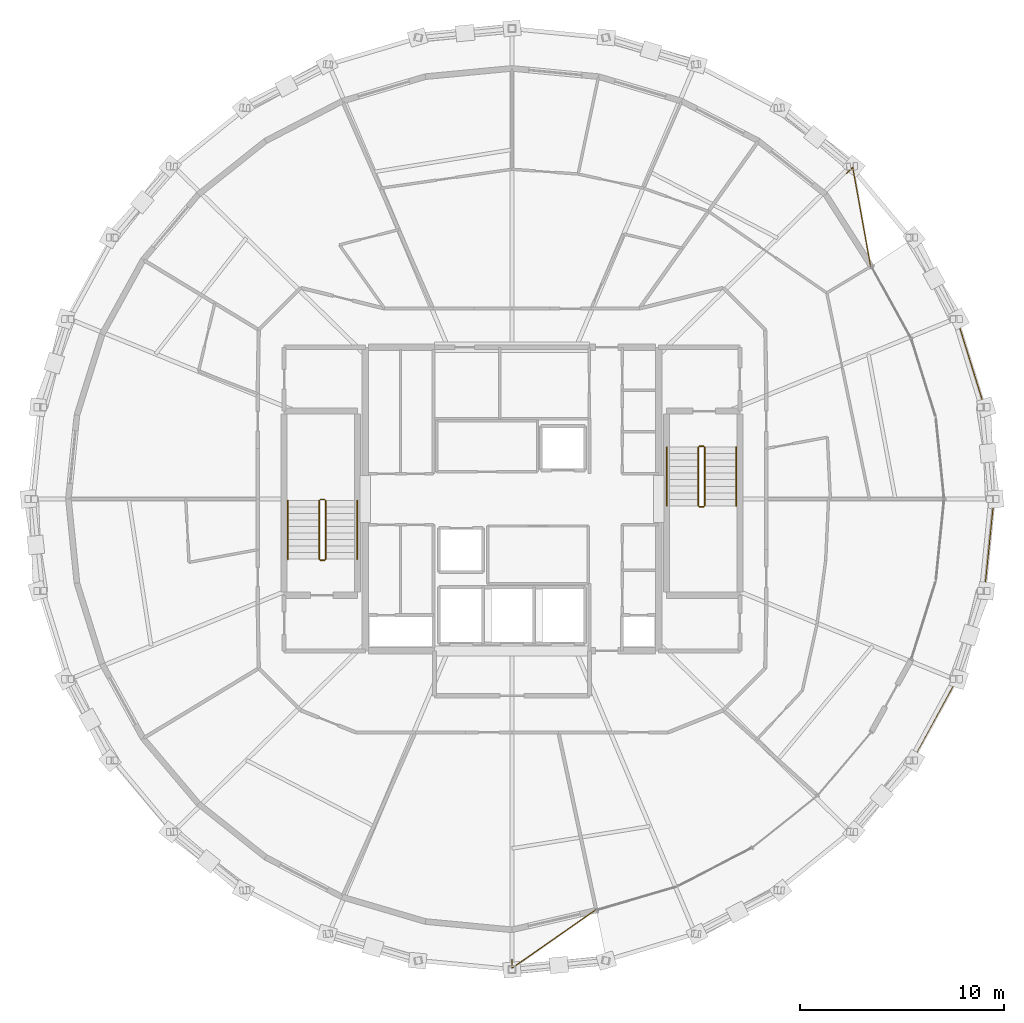
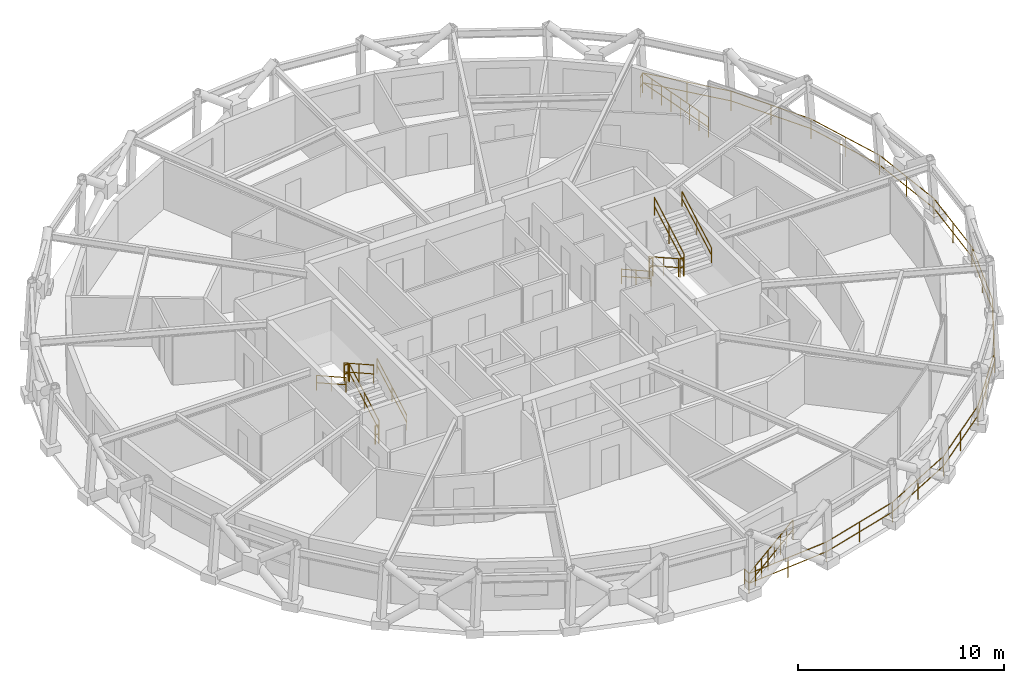
# One storey, part 16 of 16: 15 railings.
"""IFC4 building model written with IfcOpenShell, lengths in metres."""

from ifc_helpers import new_model, si_unit, direction, frame, origin, origin_2d, place, context, subcontext, project, spatial, circle, extrude, material, type_object, element, save


model = new_model("IFC4")

# Units and contexts
model_context = context("Model", 3, precision=1e-05, world=origin(), true_north=direction((0.0, 1.0)))
body_context = subcontext(model_context, "Body", "Model", "MODEL_VIEW")
ifc_project = project(units=[si_unit("LENGTHUNIT", "METRE"), si_unit("AREAUNIT", "SQUARE_METRE"), si_unit("VOLUMEUNIT", "CUBIC_METRE"), si_unit("PLANEANGLEUNIT", "RADIAN"), si_unit("MASSUNIT", "GRAM", prefix="KILO")], contexts=[model_context])

# Site, building, storey
site_placement = place(None, origin())
site = spatial("IfcSite", under=ifc_project, at=site_placement, CompositionType="ELEMENT")
building_placement = place(site_placement, origin())
building = spatial("IfcBuilding", under=site, at=building_placement, Name="Veldorina Hangang Commons", CompositionType="ELEMENT")
storey_placement = place(building_placement, frame((0.0, 0.0, 240.0)))
storey = spatial("IfcBuildingStorey", under=building, at=storey_placement, Name="L62", CompositionType="ELEMENT", Elevation=240.0)

# Railings
ifc_material_1 = material(Name="Glass Laminated Safety Balustrade", Category="glass")
railing_type_1 = type_object("IfcRailingType", Name="RL-BAL-LOGGIA", PredefinedType="BALUSTRADE", material=ifc_material_1)
railing_1_placement = place(storey_placement, frame((32.0, 1.406005859375, 0.0)))
element("IfcRailing", 1, at=railing_1_placement, inside=storey, type_object=railing_type_1, Name="L62 sky-garden loggia end balustrade A", PredefinedType="BALUSTRADE", context=body_context, shape_type="SweptSolid", body=[
    extrude(circle(Radius=0.02392578125, at=origin_2d()), frame((0.0, 0.0, 1.17578125), z_axis=(0.0, -1.0, 0.0), x_axis=(1.0, 0.0, 0.0)), (0.0, 0.0, 1.0), 0.419921875),
    extrude(circle(Radius=0.02392578125, at=origin_2d()), frame((0.0, 0.0, 0.60009765625), z_axis=(0.0, -1.0, 0.0), x_axis=(1.0, 0.0, 0.0)), (0.0, 0.0, 1.0), 0.419921875),
    extrude(circle(Radius=0.02392578125, at=origin_2d()), frame((0.0, -0.419921875, 1.17578125), z_axis=(0.82069743733, 0.571363033771, 0.0), x_axis=(-0.571363033771, 0.82069743733, 0.0)), (0.0, 0.0, 1.0), 5.031005859375),
    extrude(circle(Radius=0.02392578125, at=origin_2d()), frame((0.0, -0.419921875, 0.60009765625), z_axis=(0.82069743733, 0.571363033771, 0.0), x_axis=(-0.571363033771, 0.82069743733, 0.0)), (0.0, 0.0, 1.0), 5.031005859375),
    extrude(circle(Radius=0.02099609375, at=origin_2d()), origin(), (0.0, 0.0, 1.0), 1.15185546875),
    extrude(circle(Radius=0.02099609375, at=origin_2d()), frame((0.0, -0.419921875, 0.0)), (0.0, 0.0, 1.0), 1.15185546875),
    extrude(circle(Radius=0.02099609375, at=origin_2d()), frame((0.58984375, -0.00927734375, 0.0)), (0.0, 0.0, 1.0), 1.15185546875),
    extrude(circle(Radius=0.02099609375, at=origin_2d()), frame((1.1796875, 0.4013671875, 0.0)), (0.0, 0.0, 1.0), 1.15185546875),
    extrude(circle(Radius=0.02099609375, at=origin_2d()), frame((1.76953125, 0.81201171875, 0.0)), (0.0, 0.0, 1.0), 1.15185546875),
    extrude(circle(Radius=0.02099609375, at=origin_2d()), frame((2.359375, 1.22265625, 0.0)), (0.0, 0.0, 1.0), 1.15185546875),
    extrude(circle(Radius=0.02099609375, at=origin_2d()), frame((2.94921875, 1.63330078125, 0.0)), (0.0, 0.0, 1.0), 1.15185546875),
    extrude(circle(Radius=0.02099609375, at=origin_2d()), frame((3.5390625, 2.0439453125, 0.0)), (0.0, 0.0, 1.0), 1.15185546875),
    extrude(circle(Radius=0.02099609375, at=origin_2d()), frame((4.12890625, 2.45458984375, 0.0)), (0.0, 0.0, 1.0), 1.15185546875),
])
railing_2_placement = place(storey_placement, frame((48.418212890625, 39.981201171875, 0.0)))
element("IfcRailing", 2, at=railing_2_placement, inside=storey, type_object=railing_type_1, Name="L62 sky-garden loggia end balustrade B", PredefinedType="BALUSTRADE", context=body_context, shape_type="SweptSolid", body=[
    extrude(circle(Radius=0.02392578125, at=origin_2d()), frame((0.0, 0.0, 1.17578125), z_axis=(0.716348809661, 0.697742347072, 0.0), x_axis=(-0.697742347072, 0.716348809661, 0.0)), (0.0, 0.0, 1.0), 0.419921875),
    extrude(circle(Radius=0.02392578125, at=origin_2d()), frame((0.0, 0.0, 0.60009765625), z_axis=(0.716348809661, 0.697742347072, 0.0), x_axis=(-0.697742347072, 0.716348809661, 0.0)), (0.0, 0.0, 1.0), 0.419921875),
    extrude(circle(Radius=0.02392578125, at=origin_2d()), frame((0.30078125, 0.29296875, 1.17578125), z_axis=(0.177755584776, -0.98407466794, 0.0), x_axis=(0.98407466794, 0.177755584776, 0.0)), (0.0, 0.0, 1.0), 4.944580078125),
    extrude(circle(Radius=0.02392578125, at=origin_2d()), frame((0.30078125, 0.29296875, 0.60009765625), z_axis=(0.177755584776, -0.98407466794, 0.0), x_axis=(0.98407466794, 0.177755584776, 0.0)), (0.0, 0.0, 1.0), 4.944580078125),
    extrude(circle(Radius=0.02099609375, at=origin_2d()), origin(), (0.0, 0.0, 1.0), 1.15185546875),
    extrude(circle(Radius=0.02099609375, at=origin_2d()), frame((0.30078125, 0.29296875, 0.0)), (0.0, 0.0, 1.0), 1.15185546875),
    extrude(circle(Radius=0.02099609375, at=origin_2d()), frame((0.42626953125, -0.402099609375, 0.0)), (0.0, 0.0, 1.0), 1.15185546875),
    extrude(circle(Radius=0.02099609375, at=origin_2d()), frame((0.552001953125, -1.09716796875, 0.0)), (0.0, 0.0, 1.0), 1.15185546875),
    extrude(circle(Radius=0.02099609375, at=origin_2d()), frame((0.677490234375, -1.792236328125, 0.0)), (0.0, 0.0, 1.0), 1.15185546875),
    extrude(circle(Radius=0.02099609375, at=origin_2d()), frame((0.802978515625, -2.487548828125, 0.0)), (0.0, 0.0, 1.0), 1.15185546875),
    extrude(circle(Radius=0.02099609375, at=origin_2d()), frame((0.928466796875, -3.1826171875, 0.0)), (0.0, 0.0, 1.0), 1.15185546875),
    extrude(circle(Radius=0.02099609375, at=origin_2d()), frame((1.05419921875, -3.877685546875, 0.0)), (0.0, 0.0, 1.0), 1.15185546875),
    extrude(circle(Radius=0.02099609375, at=origin_2d()), frame((1.1796875, -4.57275390625, 0.0)), (0.0, 0.0, 1.0), 1.15185546875),
])
railing_3_placement = place(storey_placement, frame((32.0, 0.986083984375, 0.0)))
element("IfcRailing", 3, at=railing_3_placement, inside=storey, type_object=railing_type_1, Name="L62 sky-garden loggia outer balustrade", PredefinedType="BALUSTRADE", context=body_context, shape_type="SweptSolid", body=[
    extrude(circle(Radius=0.02392578125, at=origin_2d()), frame((0.0, 0.0, 1.17578125), z_axis=(0.995437270042, 0.095418244643, 0.0), x_axis=(-0.095418244643, 0.995437270042, 0.0)), (0.0, 0.0, 1.0), 4.6337890625),
    extrude(circle(Radius=0.02392578125, at=origin_2d()), frame((0.0, 0.0, 0.60009765625), z_axis=(0.995437270042, 0.095418244643, 0.0), x_axis=(-0.095418244643, 0.995437270042, 0.0)), (0.0, 0.0, 1.0), 4.6337890625),
    extrude(circle(Radius=0.02392578125, at=origin_2d()), frame((4.612548828125, 0.442138671875, 1.17578125), z_axis=(0.959086795418, 0.283112201884, 0.0), x_axis=(-0.283112201884, 0.959086795418, 0.0)), (0.0, 0.0, 1.0), 4.624755859375),
    extrude(circle(Radius=0.02392578125, at=origin_2d()), frame((4.612548828125, 0.442138671875, 0.60009765625), z_axis=(0.959086795418, 0.283112201884, 0.0), x_axis=(-0.283112201884, 0.959086795418, 0.0)), (0.0, 0.0, 1.0), 4.624755859375),
    extrude(circle(Radius=0.02392578125, at=origin_2d()), frame((9.048095703125, 1.75146484375, 1.17578125), z_axis=(0.887137843711, 0.461504546301, 0.0), x_axis=(-0.461504546301, 0.887137843711, 0.0)), (0.0, 0.0, 1.0), 4.607666015625),
    extrude(circle(Radius=0.02392578125, at=origin_2d()), frame((9.048095703125, 1.75146484375, 0.60009765625), z_axis=(0.887137843711, 0.461504546301, 0.0), x_axis=(-0.461504546301, 0.887137843711, 0.0)), (0.0, 0.0, 1.0), 4.607666015625),
    extrude(circle(Radius=0.02392578125, at=origin_2d()), frame((13.1357421875, 3.8779296875, 1.17578125), z_axis=(0.781377559682, 0.62405857836, 0.0), x_axis=(-0.62405857836, 0.781377559682, 0.0)), (0.0, 0.0, 1.0), 4.585693359375),
    extrude(circle(Radius=0.02392578125, at=origin_2d()), frame((13.1357421875, 3.8779296875, 0.60009765625), z_axis=(0.781377559682, 0.62405857836, 0.0), x_axis=(-0.62405857836, 0.781377559682, 0.0)), (0.0, 0.0, 1.0), 4.585693359375),
    extrude(circle(Radius=0.02392578125, at=origin_2d()), frame((16.718994140625, 6.73974609375, 1.17578125), z_axis=(0.644653063739, 0.764475262786, 0.0), x_axis=(-0.764475262786, 0.644653063739, 0.0)), (0.0, 0.0, 1.0), 4.56201171875),
    extrude(circle(Radius=0.02392578125, at=origin_2d()), frame((16.718994140625, 6.73974609375, 0.60009765625), z_axis=(0.644653063739, 0.764475262786, 0.0), x_axis=(-0.764475262786, 0.644653063739, 0.0)), (0.0, 0.0, 1.0), 4.56201171875),
    extrude(circle(Radius=0.02392578125, at=origin_2d()), frame((19.659912109375, 10.227294921875, 1.17578125), z_axis=(0.481408713435, 0.876496235376, 0.0), x_axis=(-0.876496235376, 0.481408713435, 0.0)), (0.0, 0.0, 1.0), 4.539306640625),
    extrude(circle(Radius=0.02392578125, at=origin_2d()), frame((19.659912109375, 10.227294921875, 0.60009765625), z_axis=(0.481408713435, 0.876496235376, 0.0), x_axis=(-0.876496235376, 0.481408713435, 0.0)), (0.0, 0.0, 1.0), 4.539306640625),
    extrude(circle(Radius=0.02392578125, at=origin_2d()), frame((21.84521484375, 14.2060546875, 1.17578125), z_axis=(0.297558711266, 0.954703521178, 0.0), x_axis=(-0.954703521178, 0.297558711266, 0.0)), (0.0, 0.0, 1.0), 4.5224609375),
    extrude(circle(Radius=0.02392578125, at=origin_2d()), frame((21.84521484375, 14.2060546875, 0.60009765625), z_axis=(0.297558711266, 0.954703521178, 0.0), x_axis=(-0.954703521178, 0.297558711266, 0.0)), (0.0, 0.0, 1.0), 4.5224609375),
    extrude(circle(Radius=0.02392578125, at=origin_2d()), frame((23.19091796875, 18.523681640625, 1.17578125), z_axis=(0.100724797421, 0.99491432555, 0.0), x_axis=(-0.99491432555, 0.100724797421, 0.0)), (0.0, 0.0, 1.0), 4.51318359375),
    extrude(circle(Radius=0.02392578125, at=origin_2d()), frame((23.19091796875, 18.523681640625, 0.60009765625), z_axis=(0.100724797421, 0.99491432555, 0.0), x_axis=(-0.99491432555, 0.100724797421, 0.0)), (0.0, 0.0, 1.0), 4.51318359375),
    extrude(circle(Radius=0.02392578125, at=origin_2d()), frame((23.6455078125, 23.013916015625, 1.17578125), z_axis=(-0.100724797421, 0.99491432555, 0.0), x_axis=(-0.99491432555, -0.100724797421, 0.0)), (0.0, 0.0, 1.0), 4.51318359375),
    extrude(circle(Radius=0.02392578125, at=origin_2d()), frame((23.6455078125, 23.013916015625, 0.60009765625), z_axis=(-0.100724797421, 0.99491432555, 0.0), x_axis=(-0.99491432555, -0.100724797421, 0.0)), (0.0, 0.0, 1.0), 4.51318359375),
    extrude(circle(Radius=0.02392578125, at=origin_2d()), frame((23.19091796875, 27.504150390625, 1.17578125), z_axis=(-0.297558711266, 0.954703521178, 0.0), x_axis=(-0.954703521178, -0.297558711266, 0.0)), (0.0, 0.0, 1.0), 4.5224609375),
    extrude(circle(Radius=0.02392578125, at=origin_2d()), frame((23.19091796875, 27.504150390625, 0.60009765625), z_axis=(-0.297558711266, 0.954703521178, 0.0), x_axis=(-0.954703521178, -0.297558711266, 0.0)), (0.0, 0.0, 1.0), 4.5224609375),
    extrude(circle(Radius=0.02392578125, at=origin_2d()), frame((21.84521484375, 31.82177734375, 1.17578125), z_axis=(-0.481408713435, 0.876496235376, 0.0), x_axis=(-0.876496235376, -0.481408713435, 0.0)), (0.0, 0.0, 1.0), 4.539306640625),
    extrude(circle(Radius=0.02392578125, at=origin_2d()), frame((21.84521484375, 31.82177734375, 0.60009765625), z_axis=(-0.481408713435, 0.876496235376, 0.0), x_axis=(-0.876496235376, -0.481408713435, 0.0)), (0.0, 0.0, 1.0), 4.539306640625),
    extrude(circle(Radius=0.02392578125, at=origin_2d()), frame((19.659912109375, 35.800537109375, 1.17578125), z_axis=(-0.644653063739, 0.764475262786, 0.0), x_axis=(-0.764475262786, -0.644653063739, 0.0)), (0.0, 0.0, 1.0), 4.56201171875),
    extrude(circle(Radius=0.02392578125, at=origin_2d()), frame((19.659912109375, 35.800537109375, 0.60009765625), z_axis=(-0.644653063739, 0.764475262786, 0.0), x_axis=(-0.764475262786, -0.644653063739, 0.0)), (0.0, 0.0, 1.0), 4.56201171875),
    extrude(circle(Radius=0.02099609375, at=origin_2d()), origin(), (0.0, 0.0, 1.0), 1.15185546875),
    extrude(circle(Radius=0.02099609375, at=origin_2d()), frame((2.30615234375, 0.22119140625, 0.0)), (0.0, 0.0, 1.0), 1.15185546875),
    extrude(circle(Radius=0.02099609375, at=origin_2d()), frame((4.612548828125, 0.442138671875, 0.0)), (0.0, 0.0, 1.0), 1.15185546875),
    extrude(circle(Radius=0.02099609375, at=origin_2d()), frame((6.830322265625, 1.0966796875, 0.0)), (0.0, 0.0, 1.0), 1.15185546875),
    extrude(circle(Radius=0.02099609375, at=origin_2d()), frame((9.048095703125, 1.75146484375, 0.0)), (0.0, 0.0, 1.0), 1.15185546875),
    extrude(circle(Radius=0.02099609375, at=origin_2d()), frame((11.091796875, 2.814697265625, 0.0)), (0.0, 0.0, 1.0), 1.15185546875),
    extrude(circle(Radius=0.02099609375, at=origin_2d()), frame((13.1357421875, 3.8779296875, 0.0)), (0.0, 0.0, 1.0), 1.15185546875),
    extrude(circle(Radius=0.02099609375, at=origin_2d()), frame((14.92724609375, 5.308837890625, 0.0)), (0.0, 0.0, 1.0), 1.15185546875),
    extrude(circle(Radius=0.02099609375, at=origin_2d()), frame((16.718994140625, 6.73974609375, 0.0)), (0.0, 0.0, 1.0), 1.15185546875),
    extrude(circle(Radius=0.02099609375, at=origin_2d()), frame((18.189453125, 8.4833984375, 0.0)), (0.0, 0.0, 1.0), 1.15185546875),
    extrude(circle(Radius=0.02099609375, at=origin_2d()), frame((19.659912109375, 10.227294921875, 0.0)), (0.0, 0.0, 1.0), 1.15185546875),
    extrude(circle(Radius=0.02099609375, at=origin_2d()), frame((20.75244140625, 12.216796875, 0.0)), (0.0, 0.0, 1.0), 1.15185546875),
    extrude(circle(Radius=0.02099609375, at=origin_2d()), frame((21.84521484375, 14.2060546875, 0.0)), (0.0, 0.0, 1.0), 1.15185546875),
    extrude(circle(Radius=0.02099609375, at=origin_2d()), frame((22.51806640625, 16.36474609375, 0.0)), (0.0, 0.0, 1.0), 1.15185546875),
    extrude(circle(Radius=0.02099609375, at=origin_2d()), frame((23.19091796875, 18.523681640625, 0.0)), (0.0, 0.0, 1.0), 1.15185546875),
    extrude(circle(Radius=0.02099609375, at=origin_2d()), frame((23.418212890625, 20.768798828125, 0.0)), (0.0, 0.0, 1.0), 1.15185546875),
    extrude(circle(Radius=0.02099609375, at=origin_2d()), frame((23.6455078125, 23.013916015625, 0.0)), (0.0, 0.0, 1.0), 1.15185546875),
    extrude(circle(Radius=0.02099609375, at=origin_2d()), frame((23.418212890625, 25.259033203125, 0.0)), (0.0, 0.0, 1.0), 1.15185546875),
    extrude(circle(Radius=0.02099609375, at=origin_2d()), frame((23.19091796875, 27.504150390625, 0.0)), (0.0, 0.0, 1.0), 1.15185546875),
    extrude(circle(Radius=0.02099609375, at=origin_2d()), frame((22.51806640625, 29.6630859375, 0.0)), (0.0, 0.0, 1.0), 1.15185546875),
    extrude(circle(Radius=0.02099609375, at=origin_2d()), frame((21.84521484375, 31.82177734375, 0.0)), (0.0, 0.0, 1.0), 1.15185546875),
    extrude(circle(Radius=0.02099609375, at=origin_2d()), frame((20.75244140625, 33.81103515625, 0.0)), (0.0, 0.0, 1.0), 1.15185546875),
    extrude(circle(Radius=0.02099609375, at=origin_2d()), frame((19.659912109375, 35.800537109375, 0.0)), (0.0, 0.0, 1.0), 1.15185546875),
    extrude(circle(Radius=0.02099609375, at=origin_2d()), frame((18.189453125, 37.54443359375, 0.0)), (0.0, 0.0, 1.0), 1.15185546875),
    extrude(circle(Radius=0.02099609375, at=origin_2d()), frame((16.718994140625, 39.2880859375, 0.0)), (0.0, 0.0, 1.0), 1.15185546875),
])
ifc_material_2 = material(Name="Steel Painted Balustrade", Category="steel")
railing_type_2 = type_object("IfcRailingType", Name="RL-GRD-STAIR", PredefinedType="GUARDRAIL", material=ifc_material_2)
railing_4_placement = place(storey_placement, frame((22.85009765625, 21.050048828125, 0.179931640625)))
element("IfcRailing", 4, at=railing_4_placement, inside=storey, type_object=railing_type_2, Name="L62 ST-1 stair guard 1", PredefinedType="GUARDRAIL", context=body_context, shape_type="SweptSolid", body=[
    extrude(circle(Radius=0.02392578125, at=origin_2d()), frame((0.0, 0.0, 1.076171875), z_axis=(0.0, 0.87155185771, 0.490303333991), x_axis=(-1.0, 0.0, 0.0)), (0.0, 0.0, 1.0), 3.30419921875),
    extrude(circle(Radius=0.02392578125, at=origin_2d()), frame((0.0, 0.0, 0.550048828125), z_axis=(0.0, 0.87155185771, 0.490303333991), x_axis=(-1.0, 0.0, 0.0)), (0.0, 0.0, 1.0), 3.30419921875),
    extrude(circle(Radius=0.02099609375, at=origin_2d()), origin(), (0.0, 0.0, 1.0), 1.052001953125),
    extrude(circle(Radius=0.02099609375, at=origin_2d()), frame((0.0, 1.43994140625, 0.81005859375)), (0.0, 0.0, 1.0), 1.052001953125),
    extrude(circle(Radius=0.02099609375, at=origin_2d()), frame((0.0, 2.8798828125, 1.6201171875)), (0.0, 0.0, 1.0), 1.052001953125),
])
railing_5_placement = place(storey_placement, frame((22.800048828125, 23.97998046875, 1.800048828125)))
element("IfcRailing", 5, at=railing_5_placement, inside=storey, type_object=railing_type_2, Name="L62 ST-1 stair guard 2", PredefinedType="GUARDRAIL", context=body_context, shape_type="SweptSolid", body=[
    extrude(circle(Radius=0.02392578125, at=origin_2d()), frame((0.0, 0.0, 1.076171875), z_axis=(-1.0, 0.0, 0.0), x_axis=(0.0, -1.0, 0.0)), (0.0, 0.0, 1.0), 0.199951171875),
    extrude(circle(Radius=0.02392578125, at=origin_2d()), frame((0.0, 0.0, 0.550048828125), z_axis=(-1.0, 0.0, 0.0), x_axis=(0.0, -1.0, 0.0)), (0.0, 0.0, 1.0), 0.199951171875),
    extrude(circle(Radius=0.02099609375, at=origin_2d()), origin(), (0.0, 0.0, 1.0), 1.052001953125),
    extrude(circle(Radius=0.02099609375, at=origin_2d()), frame((-0.199951171875, 0.0, 0.0)), (0.0, 0.0, 1.0), 1.052001953125),
])
railing_6_placement = place(storey_placement, frame((22.550048828125, 23.929931640625, 1.97998046875)))
element("IfcRailing", 6, at=railing_6_placement, inside=storey, type_object=railing_type_2, Name="L62 ST-1 stair guard 3", PredefinedType="GUARDRAIL", context=body_context, shape_type="SweptSolid", body=[
    extrude(circle(Radius=0.02392578125, at=origin_2d()), frame((0.0, 0.0, 1.076171875), z_axis=(0.0, -0.87155185771, 0.490303333991), x_axis=(1.0, 0.0, 0.0)), (0.0, 0.0, 1.0), 3.30419921875),
    extrude(circle(Radius=0.02392578125, at=origin_2d()), frame((0.0, 0.0, 0.550048828125), z_axis=(0.0, -0.87155185771, 0.490303333991), x_axis=(1.0, 0.0, 0.0)), (0.0, 0.0, 1.0), 3.30419921875),
    extrude(circle(Radius=0.02099609375, at=origin_2d()), origin(), (0.0, 0.0, 1.0), 1.052001953125),
    extrude(circle(Radius=0.02099609375, at=origin_2d()), frame((0.0, -1.43994140625, 0.81005859375)), (0.0, 0.0, 1.0), 1.052001953125),
    extrude(circle(Radius=0.02099609375, at=origin_2d()), frame((0.0, -2.8798828125, 1.6201171875)), (0.0, 0.0, 1.0), 1.052001953125),
])
railing_7_placement = place(storey_placement, frame((22.800048828125, 21.0, 0.0)))
element("IfcRailing", 7, at=railing_7_placement, inside=storey, type_object=railing_type_2, Name="L62 ST-1 stair guard 4", PredefinedType="GUARDRAIL", context=body_context, shape_type="SweptSolid", body=[
    extrude(circle(Radius=0.02392578125, at=origin_2d()), frame((0.0, 0.0, 1.076171875), z_axis=(-1.0, 0.0, 0.0), x_axis=(0.0, -1.0, 0.0)), (0.0, 0.0, 1.0), 0.199951171875),
    extrude(circle(Radius=0.02392578125, at=origin_2d()), frame((0.0, 0.0, 0.550048828125), z_axis=(-1.0, 0.0, 0.0), x_axis=(0.0, -1.0, 0.0)), (0.0, 0.0, 1.0), 0.199951171875),
    extrude(circle(Radius=0.02099609375, at=origin_2d()), origin(), (0.0, 0.0, 1.0), 1.052001953125),
    extrude(circle(Radius=0.02099609375, at=origin_2d()), frame((-0.199951171875, 0.0, 0.0)), (0.0, 0.0, 1.0), 1.052001953125),
])
railing_8_placement = place(storey_placement, frame((41.14990234375, 26.550048828125, 0.179931640625)))
element("IfcRailing", 8, at=railing_8_placement, inside=storey, type_object=railing_type_2, Name="L62 ST-2 stair guard 1", PredefinedType="GUARDRAIL", context=body_context, shape_type="SweptSolid", body=[
    extrude(circle(Radius=0.02392578125, at=origin_2d()), frame((0.0, 0.0, 1.076171875), z_axis=(0.0, -0.871569617843, 0.490271762652), x_axis=(1.0, 0.0, 0.0)), (0.0, 0.0, 1.0), 3.304443359375),
    extrude(circle(Radius=0.02392578125, at=origin_2d()), frame((0.0, 0.0, 0.550048828125), z_axis=(0.0, -0.871569617843, 0.490271762652), x_axis=(1.0, 0.0, 0.0)), (0.0, 0.0, 1.0), 3.304443359375),
    extrude(circle(Radius=0.02099609375, at=origin_2d()), origin(), (0.0, 0.0, 1.0), 1.052001953125),
    extrude(circle(Radius=0.02099609375, at=origin_2d()), frame((0.0, -1.43994140625, 0.81005859375)), (0.0, 0.0, 1.0), 1.052001953125),
    extrude(circle(Radius=0.02099609375, at=origin_2d()), frame((0.0, -2.880126953125, 1.6201171875)), (0.0, 0.0, 1.0), 1.052001953125),
])
railing_9_placement = place(storey_placement, frame((41.199951171875, 23.6201171875, 1.800048828125)))
element("IfcRailing", 9, at=railing_9_placement, inside=storey, type_object=railing_type_2, Name="L62 ST-2 stair guard 2", PredefinedType="GUARDRAIL", context=body_context, shape_type="SweptSolid", body=[
    extrude(circle(Radius=0.02392578125, at=origin_2d()), frame((0.0, 0.0, 1.076171875), z_axis=(1.0, 0.0, 0.0), x_axis=(0.0, 1.0, 0.0)), (0.0, 0.0, 1.0), 0.199951171875),
    extrude(circle(Radius=0.02392578125, at=origin_2d()), frame((0.0, 0.0, 0.550048828125), z_axis=(1.0, 0.0, 0.0), x_axis=(0.0, 1.0, 0.0)), (0.0, 0.0, 1.0), 0.199951171875),
    extrude(circle(Radius=0.02099609375, at=origin_2d()), origin(), (0.0, 0.0, 1.0), 1.052001953125),
    extrude(circle(Radius=0.02099609375, at=origin_2d()), frame((0.199951171875, 0.0, 0.0)), (0.0, 0.0, 1.0), 1.052001953125),
])
railing_10_placement = place(storey_placement, frame((41.449951171875, 23.669921875, 1.97998046875)))
element("IfcRailing", 10, at=railing_10_placement, inside=storey, type_object=railing_type_2, Name="L62 ST-2 stair guard 3", PredefinedType="GUARDRAIL", context=body_context, shape_type="SweptSolid", body=[
    extrude(circle(Radius=0.02392578125, at=origin_2d()), frame((0.0, 0.0, 1.076171875), z_axis=(0.0, 0.871569617843, 0.490271762652), x_axis=(-1.0, 0.0, 0.0)), (0.0, 0.0, 1.0), 3.304443359375),
    extrude(circle(Radius=0.02392578125, at=origin_2d()), frame((0.0, 0.0, 0.550048828125), z_axis=(0.0, 0.871569617843, 0.490271762652), x_axis=(-1.0, 0.0, 0.0)), (0.0, 0.0, 1.0), 3.304443359375),
    extrude(circle(Radius=0.02099609375, at=origin_2d()), origin(), (0.0, 0.0, 1.0), 1.052001953125),
    extrude(circle(Radius=0.02099609375, at=origin_2d()), frame((0.0, 1.43994140625, 0.81005859375)), (0.0, 0.0, 1.0), 1.052001953125),
    extrude(circle(Radius=0.02099609375, at=origin_2d()), frame((0.0, 2.880126953125, 1.6201171875)), (0.0, 0.0, 1.0), 1.052001953125),
])
railing_11_placement = place(storey_placement, frame((41.199951171875, 26.60009765625, 0.0)))
element("IfcRailing", 11, at=railing_11_placement, inside=storey, type_object=railing_type_2, Name="L62 ST-2 stair guard 4", PredefinedType="GUARDRAIL", context=body_context, shape_type="SweptSolid", body=[
    extrude(circle(Radius=0.02392578125, at=origin_2d()), frame((0.0, 0.0, 1.076171875), z_axis=(1.0, 0.0, 0.0), x_axis=(0.0, 1.0, 0.0)), (0.0, 0.0, 1.0), 0.199951171875),
    extrude(circle(Radius=0.02392578125, at=origin_2d()), frame((0.0, 0.0, 0.550048828125), z_axis=(1.0, 0.0, 0.0), x_axis=(0.0, 1.0, 0.0)), (0.0, 0.0, 1.0), 0.199951171875),
    extrude(circle(Radius=0.02099609375, at=origin_2d()), origin(), (0.0, 0.0, 1.0), 1.052001953125),
    extrude(circle(Radius=0.02099609375, at=origin_2d()), frame((0.199951171875, 0.0, 0.0)), (0.0, 0.0, 1.0), 1.052001953125),
])
ifc_material_3 = material(Name="Stainless Steel Brushed 316", Category="steel")
railing_type_3 = type_object("IfcRailingType", Name="RL-HND-STAIR", PredefinedType="HANDRAIL", material=ifc_material_3)
railing_12_placement = place(storey_placement, frame((24.39990234375, 21.050048828125, 0.179931640625)))
element("IfcRailing", 12, at=railing_12_placement, inside=storey, type_object=railing_type_3, Name="L62 ST-1 stair handrail 1", PredefinedType="HANDRAIL", context=body_context, shape_type="SweptSolid", body=[
    extrude(circle(Radius=0.02392578125, at=origin_2d()), frame((0.0, 0.0, 0.8759765625), z_axis=(0.0, 0.87155185771, 0.490303333991), x_axis=(-1.0, 0.0, 0.0)), (0.0, 0.0, 1.0), 3.30419921875),
    extrude(circle(Radius=0.02392578125, at=origin_2d()), frame((0.0, 0.0, 0.449951171875), z_axis=(0.0, 0.87155185771, 0.490303333991), x_axis=(-1.0, 0.0, 0.0)), (0.0, 0.0, 1.0), 3.30419921875),
    extrude(circle(Radius=0.02099609375, at=origin_2d()), origin(), (0.0, 0.0, 1.0), 0.851806640625),
    extrude(circle(Radius=0.02099609375, at=origin_2d()), frame((0.0, 1.43994140625, 0.81005859375)), (0.0, 0.0, 1.0), 0.851806640625),
    extrude(circle(Radius=0.02099609375, at=origin_2d()), frame((0.0, 2.8798828125, 1.6201171875)), (0.0, 0.0, 1.0), 0.851806640625),
])
railing_13_placement = place(storey_placement, frame((21.0, 23.929931640625, 1.97998046875)))
element("IfcRailing", 13, at=railing_13_placement, inside=storey, type_object=railing_type_3, Name="L62 ST-1 stair handrail 2", PredefinedType="HANDRAIL", context=body_context, shape_type="SweptSolid", body=[
    extrude(circle(Radius=0.02392578125, at=origin_2d()), frame((0.0, 0.0, 0.8759765625), z_axis=(0.0, -0.87155185771, 0.490303333991), x_axis=(1.0, 0.0, 0.0)), (0.0, 0.0, 1.0), 3.30419921875),
    extrude(circle(Radius=0.02392578125, at=origin_2d()), frame((0.0, 0.0, 0.449951171875), z_axis=(0.0, -0.87155185771, 0.490303333991), x_axis=(1.0, 0.0, 0.0)), (0.0, 0.0, 1.0), 3.30419921875),
    extrude(circle(Radius=0.02099609375, at=origin_2d()), origin(), (0.0, 0.0, 1.0), 0.851806640625),
    extrude(circle(Radius=0.02099609375, at=origin_2d()), frame((0.0, -1.43994140625, 0.81005859375)), (0.0, 0.0, 1.0), 0.851806640625),
    extrude(circle(Radius=0.02099609375, at=origin_2d()), frame((0.0, -2.8798828125, 1.6201171875)), (0.0, 0.0, 1.0), 0.851806640625),
])
railing_14_placement = place(storey_placement, frame((39.60009765625, 26.550048828125, 0.179931640625)))
element("IfcRailing", 14, at=railing_14_placement, inside=storey, type_object=railing_type_3, Name="L62 ST-2 stair handrail 1", PredefinedType="HANDRAIL", context=body_context, shape_type="SweptSolid", body=[
    extrude(circle(Radius=0.02392578125, at=origin_2d()), frame((0.0, 0.0, 0.8759765625), z_axis=(0.0, -0.871569617843, 0.490271762652), x_axis=(1.0, 0.0, 0.0)), (0.0, 0.0, 1.0), 3.304443359375),
    extrude(circle(Radius=0.02392578125, at=origin_2d()), frame((0.0, 0.0, 0.449951171875), z_axis=(0.0, -0.871569617843, 0.490271762652), x_axis=(1.0, 0.0, 0.0)), (0.0, 0.0, 1.0), 3.304443359375),
    extrude(circle(Radius=0.02099609375, at=origin_2d()), origin(), (0.0, 0.0, 1.0), 0.851806640625),
    extrude(circle(Radius=0.02099609375, at=origin_2d()), frame((0.0, -1.43994140625, 0.81005859375)), (0.0, 0.0, 1.0), 0.851806640625),
    extrude(circle(Radius=0.02099609375, at=origin_2d()), frame((0.0, -2.880126953125, 1.6201171875)), (0.0, 0.0, 1.0), 0.851806640625),
])
railing_15_placement = place(storey_placement, frame((43.0, 23.669921875, 1.97998046875)))
element("IfcRailing", 15, at=railing_15_placement, inside=storey, type_object=railing_type_3, Name="L62 ST-2 stair handrail 2", PredefinedType="HANDRAIL", context=body_context, shape_type="SweptSolid", body=[
    extrude(circle(Radius=0.02392578125, at=origin_2d()), frame((0.0, 0.0, 0.8759765625), z_axis=(0.0, 0.871569617843, 0.490271762652), x_axis=(-1.0, 0.0, 0.0)), (0.0, 0.0, 1.0), 3.304443359375),
    extrude(circle(Radius=0.02392578125, at=origin_2d()), frame((0.0, 0.0, 0.449951171875), z_axis=(0.0, 0.871569617843, 0.490271762652), x_axis=(-1.0, 0.0, 0.0)), (0.0, 0.0, 1.0), 3.304443359375),
    extrude(circle(Radius=0.02099609375, at=origin_2d()), origin(), (0.0, 0.0, 1.0), 0.851806640625),
    extrude(circle(Radius=0.02099609375, at=origin_2d()), frame((0.0, 1.43994140625, 0.81005859375)), (0.0, 0.0, 1.0), 0.851806640625),
    extrude(circle(Radius=0.02099609375, at=origin_2d()), frame((0.0, 2.880126953125, 1.6201171875)), (0.0, 0.0, 1.0), 0.851806640625),
])

save(model, "model.ifc")
